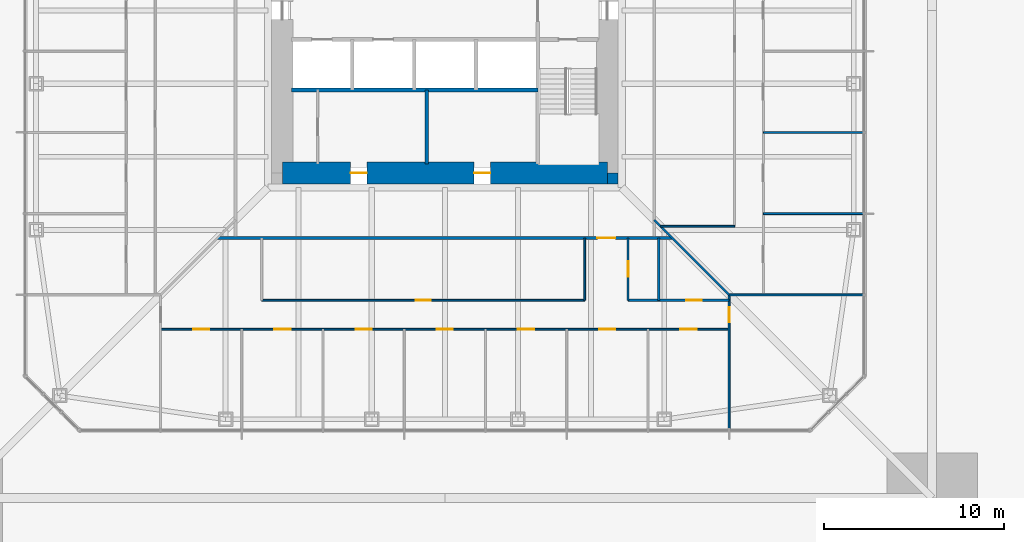
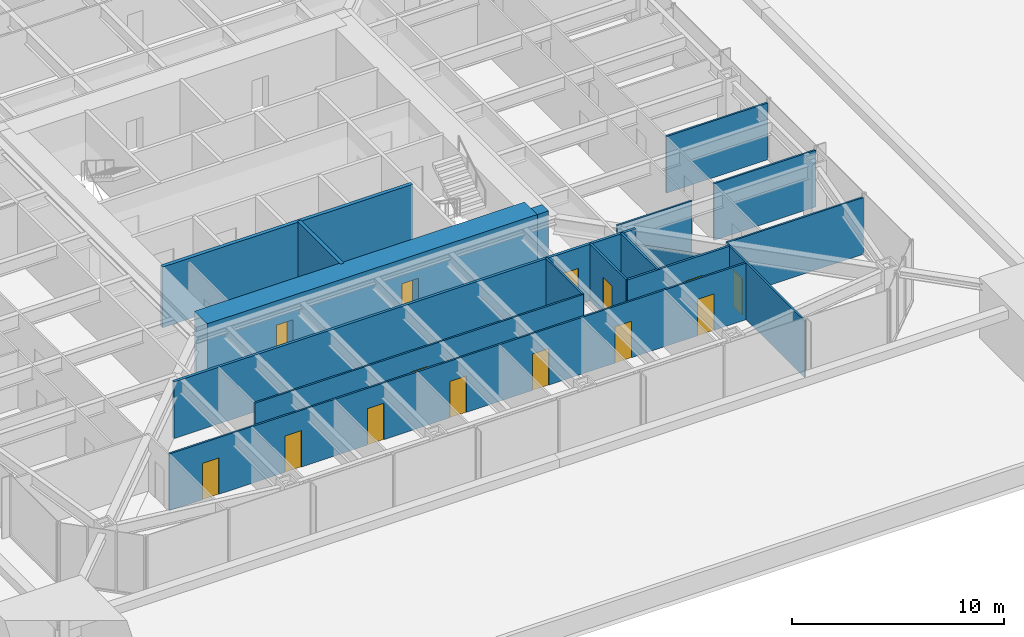
# One storey, part 18 of 31: 17 walls, 14 doors, 14 openings.
"""IFC4 building model written with IfcOpenShell, lengths in metres."""

from ifc_helpers import new_model, si_unit, direction, frame, frame_2d, origin, place, context, subcontext, project, spatial, rectangle, extrude, material, layer, layer_set, type_object, element, fill, save


model = new_model("IFC4")

# Units and contexts
model_context = context("Model", 3, precision=1e-05, world=origin(), true_north=direction((0.0, 1.0)))
body_context = subcontext(model_context, "Body", "Model", "MODEL_VIEW")
ifc_project = project(units=[si_unit("LENGTHUNIT", "METRE"), si_unit("AREAUNIT", "SQUARE_METRE"), si_unit("VOLUMEUNIT", "CUBIC_METRE"), si_unit("PLANEANGLEUNIT", "RADIAN"), si_unit("MASSUNIT", "GRAM", prefix="KILO")], contexts=[model_context])

# Site, building, storey
site_placement = place(None, origin())
site = spatial("IfcSite", under=ifc_project, at=site_placement, CompositionType="ELEMENT")
building_placement = place(site_placement, origin())
building = spatial("IfcBuilding", under=site, at=building_placement, Name="Iwan Alto Co-Living Towers", CompositionType="ELEMENT")
storey_placement = place(building_placement, frame((0.0, 0.0, 15.0)))
storey = spatial("IfcBuildingStorey", under=building, at=storey_placement, Name="L03", CompositionType="ELEMENT", Elevation=15.0)

# Wall, opening, door
ifc_material_1 = material(Name="Gypsum board")
ifc_layer_1 = layer(ifc_material_1, 0.02490234375, Name="Board", Category="Finish")
ifc_material_2 = material(Name="Steel ASTM A1003 ST33H cold-formed studs", Category="steel")
ifc_layer_2 = layer(ifc_material_2, 0.10009765625, Name="Studs", Category="Framing")
ifc_layer_3 = layer(ifc_material_1, 0.02490234375, Name="Board", Category="Finish")
ifc_layer_set_1 = layer_set([ifc_layer_1, ifc_layer_2, ifc_layer_3], Name="CORRIDOR WALL 150")
wall_type_1 = type_object("IfcWallType", Name="CORRIDOR WALL 150", PredefinedType="PARTITIONING", material=ifc_layer_set_1)
wall_1_placement = place(storey_placement, frame((-12.60009765625, -12.60009765625, 0.0), z_axis=(0.0, 0.0, 1.0), x_axis=(1.0, 0.0, 0.0)))
wall_1 = element("IfcWall", 1, at=wall_1_placement, inside=storey, type_object=wall_type_1, Name="Partition L03", PredefinedType="PARTITIONING", context=body_context, shape_type="SweptSolid", body=[
    extrude(rectangle(XDim=25.2001953125, YDim=0.14990234375, at=frame_2d((12.60009765625, 0.0))), origin(), (0.0, 0.0, 1.0), 3.27001953125),
])
opening_1_placement = place(wall_1_placement, frame((21.050048828125, 0.0, 0.0)))
opening_1 = element("IfcOpeningElement", 2, at=opening_1_placement, cuts=wall_1, Name="Opening D3", PredefinedType="OPENING", context=body_context, shape_type="SweptSolid", body=[
    extrude(rectangle(XDim=1.0, YDim=2.10009765625, at=frame_2d((0.5, 1.050048828125))), frame((0.0, 0.0849609375, 0.0), z_axis=(0.0, -1.0, 0.0), x_axis=(1.0, 0.0, 0.0)), (0.0, 0.0, 1.0), 0.169921875),
])
ifc_material_3 = material(Name="Steel frame with timber leaf", Category="steel")
door_type_1 = type_object("IfcDoorType", Name="FLAT ENTRANCE DOOR FD30S 1000X2100", OperationType="SINGLE_SWING_LEFT", PredefinedType="DOOR", material=ifc_material_3)
door_1_placement = place(opening_1_placement, frame((1.0, 0.0, 0.0), z_axis=(0.0, 0.0, 1.0), x_axis=(-1.0, 0.0, 0.0)))
door_1 = element("IfcDoor", 3, at=door_1_placement, inside=storey, type_object=door_type_1, Name="Cluster lounge door L03", OperationType="SINGLE_SWING_RIGHT", OverallHeight=2.10009765625, OverallWidth=1.0, PredefinedType="DOOR", context=body_context, shape_type="SweptSolid", body=[
    extrude(rectangle(XDim=1.0, YDim=2.10009765625, at=frame_2d((0.5, 1.050048828125))), frame((0.0, 0.02490234375, 0.0), z_axis=(0.0, -1.0, 0.0), x_axis=(1.0, 0.0, 0.0)), (0.0, 0.0, 1.0), 0.050048828125),
])
fill(opening_1, door_1)

# Wall, openings, doors
ifc_layer_4 = layer(ifc_material_1, 0.012451171875, Name="Board", Category="Finish")
ifc_layer_5 = layer(ifc_material_2, 0.074951171875, Name="Studs", Category="Framing")
ifc_layer_6 = layer(ifc_material_1, 0.012451171875, Name="Board", Category="Finish")
ifc_layer_set_2 = layer_set([ifc_layer_4, ifc_layer_5, ifc_layer_6], Name="PARTITION 100")
wall_type_2 = type_object("IfcWallType", Name="PARTITION 100", PredefinedType="PARTITIONING", material=ifc_layer_set_2)
wall_2_placement = place(storey_placement, frame((-15.75, -17.64990234375, 0.0), z_axis=(0.0, 0.0, 1.0), x_axis=(1.0, 0.0, 0.0)))
wall_2 = element("IfcWall", 4, at=wall_2_placement, inside=storey, type_object=wall_type_2, Name="Partition L03", PredefinedType="PARTITIONING", context=body_context, shape_type="SweptSolid", body=[
    extrude(rectangle(XDim=31.5, YDim=0.10009765625, at=frame_2d((15.75, 0.0))), origin(), (0.0, 0.0, 1.0), 3.27001953125),
])
opening_2_placement = place(wall_2_placement, frame((1.800048828125, 0.0, 0.0)))
opening_2 = element("IfcOpeningElement", 5, at=opening_2_placement, cuts=wall_2, Name="Opening D1", PredefinedType="OPENING", context=body_context, shape_type="SweptSolid", body=[
    extrude(rectangle(XDim=0.89990234375, YDim=2.10009765625, at=frame_2d((0.449951171875, 1.050048828125))), frame((0.0, 0.06005859375, 0.0), z_axis=(0.0, -1.0, 0.0), x_axis=(1.0, 0.0, 0.0)), (0.0, 0.0, 1.0), 0.1201171875),
])
opening_3_placement = place(wall_2_placement, frame((6.300048828125, 0.0, 0.0)))
opening_3 = element("IfcOpeningElement", 6, at=opening_3_placement, cuts=wall_2, Name="Opening D1", PredefinedType="OPENING", context=body_context, shape_type="SweptSolid", body=[
    extrude(rectangle(XDim=0.89990234375, YDim=2.10009765625, at=frame_2d((0.449951171875, 1.050048828125))), frame((0.0, 0.06005859375, 0.0), z_axis=(0.0, -1.0, 0.0), x_axis=(1.0, 0.0, 0.0)), (0.0, 0.0, 1.0), 0.1201171875),
])
opening_4_placement = place(wall_2_placement, frame((10.800048828125, 0.0, 0.0)))
opening_4 = element("IfcOpeningElement", 7, at=opening_4_placement, cuts=wall_2, Name="Opening D1", PredefinedType="OPENING", context=body_context, shape_type="SweptSolid", body=[
    extrude(rectangle(XDim=0.89990234375, YDim=2.10009765625, at=frame_2d((0.449951171875, 1.050048828125))), frame((0.0, 0.06005859375, 0.0), z_axis=(0.0, -1.0, 0.0), x_axis=(1.0, 0.0, 0.0)), (0.0, 0.0, 1.0), 0.1201171875),
])
opening_5_placement = place(wall_2_placement, frame((15.300048828125, 0.0, 0.0)))
opening_5 = element("IfcOpeningElement", 8, at=opening_5_placement, cuts=wall_2, Name="Opening D1", PredefinedType="OPENING", context=body_context, shape_type="SweptSolid", body=[
    extrude(rectangle(XDim=0.89990234375, YDim=2.10009765625, at=frame_2d((0.449951171875, 1.050048828125))), frame((0.0, 0.06005859375, 0.0), z_axis=(0.0, -1.0, 0.0), x_axis=(1.0, 0.0, 0.0)), (0.0, 0.0, 1.0), 0.1201171875),
])
opening_6_placement = place(wall_2_placement, frame((19.800048828125, 0.0, 0.0)))
opening_6 = element("IfcOpeningElement", 9, at=opening_6_placement, cuts=wall_2, Name="Opening D1", PredefinedType="OPENING", context=body_context, shape_type="SweptSolid", body=[
    extrude(rectangle(XDim=0.89990234375, YDim=2.10009765625, at=frame_2d((0.449951171875, 1.050048828125))), frame((0.0, 0.06005859375, 0.0), z_axis=(0.0, -1.0, 0.0), x_axis=(1.0, 0.0, 0.0)), (0.0, 0.0, 1.0), 0.1201171875),
])
opening_7_placement = place(wall_2_placement, frame((24.300048828125, 0.0, 0.0)))
opening_7 = element("IfcOpeningElement", 10, at=opening_7_placement, cuts=wall_2, Name="Opening D1", PredefinedType="OPENING", context=body_context, shape_type="SweptSolid", body=[
    extrude(rectangle(XDim=0.89990234375, YDim=2.10009765625, at=frame_2d((0.449951171875, 1.050048828125))), frame((0.0, 0.06005859375, 0.0), z_axis=(0.0, -1.0, 0.0), x_axis=(1.0, 0.0, 0.0)), (0.0, 0.0, 1.0), 0.1201171875),
])
opening_8_placement = place(wall_2_placement, frame((28.800048828125, 0.0, 0.0)))
opening_8 = element("IfcOpeningElement", 11, at=opening_8_placement, cuts=wall_2, Name="Opening D1", PredefinedType="OPENING", context=body_context, shape_type="SweptSolid", body=[
    extrude(rectangle(XDim=0.89990234375, YDim=2.10009765625, at=frame_2d((0.449951171875, 1.050048828125))), frame((0.0, 0.06005859375, 0.0), z_axis=(0.0, -1.0, 0.0), x_axis=(1.0, 0.0, 0.0)), (0.0, 0.0, 1.0), 0.1201171875),
])
ifc_material_4 = material(Name="Timber leaf in steel frame", Category="steel")
door_type_2 = type_object("IfcDoorType", Name="BEDROOM DOOR 900X2100", OperationType="SINGLE_SWING_LEFT", PredefinedType="DOOR", material=ifc_material_4)
door_2_placement = place(opening_2_placement, origin())
door_2 = element("IfcDoor", 12, at=door_2_placement, inside=storey, type_object=door_type_2, Name="Study bedroom door L03", OperationType="SINGLE_SWING_LEFT", OverallHeight=2.10009765625, OverallWidth=0.89990234375, PredefinedType="DOOR", context=body_context, shape_type="SweptSolid", body=[
    extrude(rectangle(XDim=0.89990234375, YDim=2.10009765625, at=frame_2d((0.449951171875, 1.050048828125))), frame((0.0, 0.02490234375, 0.0), z_axis=(0.0, -1.0, 0.0), x_axis=(1.0, 0.0, 0.0)), (0.0, 0.0, 1.0), 0.050048828125),
])
fill(opening_2, door_2)
door_3_placement = place(opening_3_placement, origin())
door_3 = element("IfcDoor", 13, at=door_3_placement, inside=storey, type_object=door_type_2, Name="Study bedroom door L03", OperationType="SINGLE_SWING_LEFT", OverallHeight=2.10009765625, OverallWidth=0.89990234375, PredefinedType="DOOR", context=body_context, shape_type="SweptSolid", body=[
    extrude(rectangle(XDim=0.89990234375, YDim=2.10009765625, at=frame_2d((0.449951171875, 1.050048828125))), frame((0.0, 0.02490234375, 0.0), z_axis=(0.0, -1.0, 0.0), x_axis=(1.0, 0.0, 0.0)), (0.0, 0.0, 1.0), 0.050048828125),
])
fill(opening_3, door_3)
door_4_placement = place(opening_4_placement, origin())
door_4 = element("IfcDoor", 14, at=door_4_placement, inside=storey, type_object=door_type_2, Name="Study bedroom door L03", OperationType="SINGLE_SWING_LEFT", OverallHeight=2.10009765625, OverallWidth=0.89990234375, PredefinedType="DOOR", context=body_context, shape_type="SweptSolid", body=[
    extrude(rectangle(XDim=0.89990234375, YDim=2.10009765625, at=frame_2d((0.449951171875, 1.050048828125))), frame((0.0, 0.02490234375, 0.0), z_axis=(0.0, -1.0, 0.0), x_axis=(1.0, 0.0, 0.0)), (0.0, 0.0, 1.0), 0.050048828125),
])
fill(opening_4, door_4)
door_5_placement = place(opening_5_placement, origin())
door_5 = element("IfcDoor", 15, at=door_5_placement, inside=storey, type_object=door_type_2, Name="Study bedroom door L03", OperationType="SINGLE_SWING_LEFT", OverallHeight=2.10009765625, OverallWidth=0.89990234375, PredefinedType="DOOR", context=body_context, shape_type="SweptSolid", body=[
    extrude(rectangle(XDim=0.89990234375, YDim=2.10009765625, at=frame_2d((0.449951171875, 1.050048828125))), frame((0.0, 0.02490234375, 0.0), z_axis=(0.0, -1.0, 0.0), x_axis=(1.0, 0.0, 0.0)), (0.0, 0.0, 1.0), 0.050048828125),
])
fill(opening_5, door_5)
door_6_placement = place(opening_6_placement, origin())
door_6 = element("IfcDoor", 16, at=door_6_placement, inside=storey, type_object=door_type_2, Name="Study bedroom door L03", OperationType="SINGLE_SWING_RIGHT", OverallHeight=2.10009765625, OverallWidth=0.89990234375, PredefinedType="DOOR", context=body_context, shape_type="SweptSolid", body=[
    extrude(rectangle(XDim=0.89990234375, YDim=2.10009765625, at=frame_2d((0.449951171875, 1.050048828125))), frame((0.0, 0.02490234375, 0.0), z_axis=(0.0, -1.0, 0.0), x_axis=(1.0, 0.0, 0.0)), (0.0, 0.0, 1.0), 0.050048828125),
])
fill(opening_6, door_6)
door_7_placement = place(opening_7_placement, origin())
door_7 = element("IfcDoor", 17, at=door_7_placement, inside=storey, type_object=door_type_2, Name="Study bedroom door L03", OperationType="SINGLE_SWING_RIGHT", OverallHeight=2.10009765625, OverallWidth=0.89990234375, PredefinedType="DOOR", context=body_context, shape_type="SweptSolid", body=[
    extrude(rectangle(XDim=0.89990234375, YDim=2.10009765625, at=frame_2d((0.449951171875, 1.050048828125))), frame((0.0, 0.02490234375, 0.0), z_axis=(0.0, -1.0, 0.0), x_axis=(1.0, 0.0, 0.0)), (0.0, 0.0, 1.0), 0.050048828125),
])
fill(opening_7, door_7)
door_8_placement = place(opening_8_placement, origin())
door_8 = element("IfcDoor", 18, at=door_8_placement, inside=storey, type_object=door_type_2, Name="Study bedroom door L03", OperationType="SINGLE_SWING_RIGHT", OverallHeight=2.10009765625, OverallWidth=0.89990234375, PredefinedType="DOOR", context=body_context, shape_type="SweptSolid", body=[
    extrude(rectangle(XDim=0.89990234375, YDim=2.10009765625, at=frame_2d((0.449951171875, 1.050048828125))), frame((0.0, 0.02490234375, 0.0), z_axis=(0.0, -1.0, 0.0), x_axis=(1.0, 0.0, 0.0)), (0.0, 0.0, 1.0), 0.050048828125),
])
fill(opening_8, door_8)

# Wall, opening, door
wall_3_placement = place(storey_placement, frame((-10.14990234375, -16.050048828125, 0.0), z_axis=(0.0, 0.0, 1.0), x_axis=(1.0, 0.0, 0.0)))
wall_3 = element("IfcWall", 19, at=wall_3_placement, inside=storey, type_object=wall_type_2, Name="Partition L03", PredefinedType="PARTITIONING", context=body_context, shape_type="SweptSolid", body=[
    extrude(rectangle(XDim=17.89990234375, YDim=0.10009765625, at=frame_2d((8.949951171875, 0.0))), origin(), (0.0, 0.0, 1.0), 3.27001953125),
])
opening_9_placement = place(wall_3_placement, frame((8.52490234375, 0.0, 0.0)))
opening_9 = element("IfcOpeningElement", 20, at=opening_9_placement, cuts=wall_3, Name="Opening D2", PredefinedType="OPENING", context=body_context, shape_type="SweptSolid", body=[
    extrude(rectangle(XDim=0.85009765625, YDim=2.10009765625, at=frame_2d((0.425048828125, 1.050048828125))), frame((0.0, 0.06005859375, 0.0), z_axis=(0.0, -1.0, 0.0), x_axis=(1.0, 0.0, 0.0)), (0.0, 0.0, 1.0), 0.1201171875),
])
ifc_material_5 = material(Name="Timber leaf in steel frame", Category="steel")
door_type_3 = type_object("IfcDoorType", Name="ROOM DOOR 850X2100", OperationType="SINGLE_SWING_LEFT", PredefinedType="DOOR", material=ifc_material_5)
door_9_placement = place(opening_9_placement, frame((0.85009765625, 0.0, 0.0), z_axis=(0.0, 0.0, 1.0), x_axis=(-1.0, 0.0, 0.0)))
door_9 = element("IfcDoor", 21, at=door_9_placement, inside=storey, type_object=door_type_3, Name="Study lounge door L03", OperationType="SINGLE_SWING_RIGHT", OverallHeight=2.10009765625, OverallWidth=0.85009765625, PredefinedType="DOOR", context=body_context, shape_type="SweptSolid", body=[
    extrude(rectangle(XDim=0.85009765625, YDim=2.10009765625, at=frame_2d((0.425048828125, 1.050048828125))), frame((0.0, 0.02490234375, 0.0), z_axis=(0.0, -1.0, 0.0), x_axis=(1.0, 0.0, 0.0)), (0.0, 0.0, 1.0), 0.050048828125),
])
fill(opening_9, door_9)

# Walls
wall_4_placement = place(storey_placement, frame((15.75, -15.75, 0.0), z_axis=(0.0, 0.0, 1.0), x_axis=(1.0, 0.0, 0.0)))
element("IfcWall", 22, at=wall_4_placement, inside=storey, type_object=wall_type_2, Name="Partition L03", PredefinedType="PARTITIONING", context=body_context, shape_type="SweptSolid", body=[
    extrude(rectangle(XDim=7.43994140625, YDim=0.10009765625, at=frame_2d((3.719970703125, 0.0))), origin(), (0.0, 0.0, 1.0), 3.27001953125),
])
wall_5_placement = place(storey_placement, frame((11.949951171875, -11.949951171875, 0.0), z_axis=(0.0, 0.0, 1.0), x_axis=(1.0, 0.0, 0.0)))
element("IfcWall", 23, at=wall_5_placement, inside=storey, type_object=wall_type_2, Name="Partition L03", PredefinedType="PARTITIONING", context=body_context, shape_type="SweptSolid", body=[
    extrude(rectangle(XDim=4.10009765625, YDim=0.10009765625, at=frame_2d((2.050048828125, 0.0))), origin(), (0.0, 0.0, 1.0), 3.27001953125),
])
for number, where, z_axis, x_axis, name in (
    (24, (17.64990234375, -11.25, 0.0), (0.0, 0.0, 1.0), (1.0, 0.0, 0.0), "Partition L03"),
    (25, (17.64990234375, -6.75, 0.0), (0.0, 0.0, 1.0), (1.0, 0.0, 0.0), "Partition L03"),
):
    element("IfcWall", number, at=place(storey_placement, frame(where, z_axis=z_axis, x_axis=x_axis)), inside=storey, type_object=wall_type_2, Name=name, PredefinedType="PARTITIONING", context=body_context, shape_type="SweptSolid", body=[
        extrude(rectangle(XDim=5.5400390625, YDim=0.10009765625, at=frame_2d((2.77001953125, 0.0))), origin(), (0.0, 0.0, 1.0), 3.27001953125),
    ])

# Wall, opening, door
wall_6_placement = place(storey_placement, frame((15.75, -23.18994140625, 0.0), z_axis=(0.0, 0.0, 1.0), x_axis=(0.0, 1.0, 0.0)))
wall_6 = element("IfcWall", 26, at=wall_6_placement, inside=storey, type_object=wall_type_2, Name="Partition L03", PredefinedType="PARTITIONING", context=body_context, shape_type="SweptSolid", body=[
    extrude(rectangle(XDim=7.43994140625, YDim=0.10009765625, at=frame_2d((3.719970703125, 0.0))), origin(), (0.0, 0.0, 1.0), 3.27001953125),
])
opening_10_placement = place(wall_6_placement, frame((5.9150390625, 0.0, 0.0)))
opening_10 = element("IfcOpeningElement", 27, at=opening_10_placement, cuts=wall_6, Name="Opening D2", PredefinedType="OPENING", context=body_context, shape_type="SweptSolid", body=[
    extrude(rectangle(XDim=0.85009765625, YDim=2.10009765625, at=frame_2d((0.425048828125, 1.050048828125))), frame((0.0, 0.06005859375, 0.0), z_axis=(0.0, -1.0, 0.0), x_axis=(1.0, 0.0, 0.0)), (0.0, 0.0, 1.0), 0.1201171875),
])
door_10_placement = place(opening_10_placement, origin())
door_10 = element("IfcDoor", 28, at=door_10_placement, inside=storey, type_object=door_type_3, Name="Shared kitchen and lounge door L03", OperationType="SINGLE_SWING_LEFT", OverallHeight=2.10009765625, OverallWidth=0.85009765625, PredefinedType="DOOR", context=body_context, shape_type="SweptSolid", body=[
    extrude(rectangle(XDim=0.85009765625, YDim=2.10009765625, at=frame_2d((0.425048828125, 1.050048828125))), frame((0.0, 0.02490234375, 0.0), z_axis=(0.0, -1.0, 0.0), x_axis=(1.0, 0.0, 0.0)), (0.0, 0.0, 1.0), 0.050048828125),
])
fill(opening_10, door_10)

# Walls
wall_7_placement = place(storey_placement, frame((7.75, -16.050048828125, 0.0), z_axis=(0.0, 0.0, 1.0), x_axis=(0.0, 1.0, 0.0)))
element("IfcWall", 29, at=wall_7_placement, inside=storey, type_object=wall_type_2, Name="Partition L03", PredefinedType="PARTITIONING", context=body_context, shape_type="SweptSolid", body=[
    extrude(rectangle(XDim=3.449951171875, YDim=0.10009765625, at=frame_2d((1.72509765625, 0.0))), origin(), (0.0, 0.0, 1.0), 3.27001953125),
])
ifc_material_6 = material(Name="Concrete f'c 70 MPa", Category="concrete")
ifc_layer_7 = layer(ifc_material_6, 0.199951171875)
ifc_layer_set_3 = layer_set([ifc_layer_7], Name="SHAFT WALL 200")
wall_type_3 = type_object("IfcWallType", Name="SHAFT WALL 200", PredefinedType="SOLIDWALL", material=ifc_layer_set_3)
wall_8_placement = place(storey_placement, frame((-8.489990234375, -4.39990234375, 0.0), z_axis=(0.0, 0.0, 1.0), x_axis=(1.0, 0.0, 0.0)))
element("IfcWall", 30, at=wall_8_placement, inside=storey, type_object=wall_type_3, Name="Shaft wall L03", PredefinedType="SOLIDWALL", context=body_context, shape_type="SweptSolid", body=[
    extrude(rectangle(XDim=13.639892578125, YDim=0.199951171875, at=frame_2d((6.81982421875, 0.0))), origin(), (0.0, 0.0, 1.0), 3.5),
])
wall_9_placement = place(storey_placement, frame((-1.0, -8.489990234375, 0.0), z_axis=(0.0, 0.0, 1.0), x_axis=(0.0, 1.0, 0.0)))
element("IfcWall", 31, at=wall_9_placement, inside=storey, type_object=wall_type_3, Name="Shaft wall L03", PredefinedType="SOLIDWALL", context=body_context, shape_type="SweptSolid", body=[
    extrude(rectangle(XDim=4.090087890625, YDim=0.199951171875, at=frame_2d((2.044921875, 0.0))), origin(), (0.0, 0.0, 1.0), 3.5),
])
ifc_material_7 = material(Name="Concrete f'c 70 MPa", Category="concrete")
ifc_layer_8 = layer(ifc_material_7, 0.60009765625)
ifc_layer_set_4 = layer_set([ifc_layer_8], Name="T1 CORE CORNER FILL 600")
wall_type_4 = type_object("IfcWallType", Name="T1 CORE CORNER FILL 600", PredefinedType="SOLIDWALL", material=ifc_layer_set_4)
wall_10_placement = place(storey_placement, frame((9.0, -9.300048828125, 0.0), z_axis=(0.0, 0.0, 1.0), x_axis=(1.0, 0.0, 0.0)))
element("IfcWall", 32, at=wall_10_placement, inside=storey, type_object=wall_type_4, Name="T1 core corner SE L03", PredefinedType="SOLIDWALL", context=body_context, shape_type="SweptSolid", body=[
    extrude(rectangle(XDim=0.60009765625, YDim=0.60009765625, at=frame_2d((0.300048828125, 0.0))), origin(), (0.0, 0.0, 1.0), 3.5),
])

# Wall, openings, doors
ifc_material_8 = material(Name="Concrete f'c 70 MPa", Category="concrete")
ifc_layer_9 = layer(ifc_material_8, 1.199951171875)
ifc_layer_set_5 = layer_set([ifc_layer_9], Name="T1 CORE WALL 1200")
wall_type_5 = type_object("IfcWallType", Name="T1 CORE WALL 1200", PredefinedType="SHEAR", material=ifc_layer_set_5)
wall_11_placement = place(storey_placement, frame((-9.0, -9.0, 0.0), z_axis=(0.0, 0.0, 1.0), x_axis=(1.0, 0.0, 0.0)))
wall_11 = element("IfcWall", 33, at=wall_11_placement, inside=storey, type_object=wall_type_5, Name="T1 core wall S L03", PredefinedType="SHEAR", context=body_context, shape_type="SweptSolid", body=[
    extrude(rectangle(XDim=18.0, YDim=1.199951171875, at=frame_2d((9.0, 0.0))), origin(), (0.0, 0.0, 1.0), 3.5),
])
opening_11_placement = place(wall_11_placement, frame((3.77490234375, 0.0, 0.0)))
opening_11 = element("IfcOpeningElement", 34, at=opening_11_placement, cuts=wall_11, Name="Opening D8", PredefinedType="OPENING", context=body_context, shape_type="SweptSolid", body=[
    extrude(rectangle(XDim=0.89990234375, YDim=2.10009765625, at=frame_2d((0.449951171875, 1.050048828125))), frame((0.0, 0.60986328125, 0.0), z_axis=(0.0, -1.0, 0.0), x_axis=(1.0, 0.0, 0.0)), (0.0, 0.0, 1.0), 1.219970703125),
])
opening_12_placement = place(wall_11_placement, frame((10.625, 0.0, 0.0)))
opening_12 = element("IfcOpeningElement", 35, at=opening_12_placement, cuts=wall_11, Name="Opening D8", PredefinedType="OPENING", context=body_context, shape_type="SweptSolid", body=[
    extrude(rectangle(XDim=0.89990234375, YDim=2.10009765625, at=frame_2d((0.449951171875, 1.050048828125))), frame((0.0, 0.60986328125, 0.0), z_axis=(0.0, -1.0, 0.0), x_axis=(1.0, 0.0, 0.0)), (0.0, 0.0, 1.0), 1.219970703125),
])
ifc_material_9 = material(Name="Steel frame with timber leaf", Category="steel")
door_type_4 = type_object("IfcDoorType", Name="RISER DOOR FD120 900X2100", OperationType="SINGLE_SWING_LEFT", PredefinedType="DOOR", material=ifc_material_9)
door_11_placement = place(opening_11_placement, origin())
door_11 = element("IfcDoor", 36, at=door_11_placement, inside=storey, type_object=door_type_4, Name="Refuse room core door L03", OperationType="SINGLE_SWING_LEFT", OverallHeight=2.10009765625, OverallWidth=0.89990234375, PredefinedType="DOOR", context=body_context, shape_type="SweptSolid", body=[
    extrude(rectangle(XDim=0.89990234375, YDim=2.10009765625, at=frame_2d((0.449951171875, 1.050048828125))), frame((0.0, 0.02490234375, 0.0), z_axis=(0.0, -1.0, 0.0), x_axis=(1.0, 0.0, 0.0)), (0.0, 0.0, 1.0), 0.050048828125),
])
fill(opening_11, door_11)
door_12_placement = place(opening_12_placement, origin())
door_12 = element("IfcDoor", 37, at=door_12_placement, inside=storey, type_object=door_type_4, Name="Telecom riser core door L03", OperationType="SINGLE_SWING_LEFT", OverallHeight=2.10009765625, OverallWidth=0.89990234375, PredefinedType="DOOR", context=body_context, shape_type="SweptSolid", body=[
    extrude(rectangle(XDim=0.89990234375, YDim=2.10009765625, at=frame_2d((0.449951171875, 1.050048828125))), frame((0.0, 0.02490234375, 0.0), z_axis=(0.0, -1.0, 0.0), x_axis=(1.0, 0.0, 0.0)), (0.0, 0.0, 1.0), 0.050048828125),
])
fill(opening_12, door_12)

# Wall, opening, door
ifc_material_10 = material(Name="Cement board")
ifc_layer_10 = layer(ifc_material_10, 0.012451171875, Name="Board", Category="Finish")
ifc_layer_11 = layer(ifc_material_2, 0.094970703125, Name="Studs", Category="Framing")
ifc_layer_12 = layer(ifc_material_10, 0.012451171875, Name="Board", Category="Finish")
ifc_layer_set_6 = layer_set([ifc_layer_10, ifc_layer_11, ifc_layer_12], Name="WET AREA PARTITION 120")
wall_type_6 = type_object("IfcWallType", Name="WET AREA PARTITION 120", PredefinedType="PARTITIONING", material=ifc_layer_set_6)
wall_12_placement = place(storey_placement, frame((10.14990234375, -16.050048828125, 0.0), z_axis=(0.0, 0.0, 1.0), x_axis=(1.0, 0.0, 0.0)))
wall_12 = element("IfcWall", 38, at=wall_12_placement, inside=storey, type_object=wall_type_6, Name="Partition L03", PredefinedType="PARTITIONING", context=body_context, shape_type="SweptSolid", body=[
    extrude(rectangle(XDim=5.60009765625, YDim=0.1201171875, at=frame_2d((2.800048828125, 0.0))), origin(), (0.0, 0.0, 1.0), 3.27001953125),
])
opening_13_placement = place(wall_12_placement, frame((3.22509765625, 0.0, 0.0)))
opening_13 = element("IfcOpeningElement", 39, at=opening_13_placement, cuts=wall_12, Name="Opening D2", PredefinedType="OPENING", context=body_context, shape_type="SweptSolid", body=[
    extrude(rectangle(XDim=0.85009765625, YDim=2.10009765625, at=frame_2d((0.425048828125, 1.050048828125))), frame((0.0, 0.070068359375, 0.0), z_axis=(0.0, -1.0, 0.0), x_axis=(1.0, 0.0, 0.0)), (0.0, 0.0, 1.0), 0.14013671875),
])
door_13_placement = place(opening_13_placement, frame((0.85009765625, 0.0, 0.0), z_axis=(0.0, 0.0, 1.0), x_axis=(-1.0, 0.0, 0.0)))
door_13 = element("IfcDoor", 40, at=door_13_placement, inside=storey, type_object=door_type_3, Name="Accessible bathroom door L03", OperationType="SINGLE_SWING_LEFT", OverallHeight=2.10009765625, OverallWidth=0.85009765625, PredefinedType="DOOR", context=body_context, shape_type="SweptSolid", body=[
    extrude(rectangle(XDim=0.85009765625, YDim=2.10009765625, at=frame_2d((0.425048828125, 1.050048828125))), frame((0.0, 0.02490234375, 0.0), z_axis=(0.0, -1.0, 0.0), x_axis=(1.0, 0.0, 0.0)), (0.0, 0.0, 1.0), 0.050048828125),
])
fill(opening_13, door_13)

# Wall
wall_13_placement = place(storey_placement, frame((11.85009765625, -16.050048828125, 0.0), z_axis=(0.0, 0.0, 1.0), x_axis=(0.0, 1.0, 0.0)))
element("IfcWall", 41, at=wall_13_placement, inside=storey, type_object=wall_type_6, Name="Partition L03", PredefinedType="PARTITIONING", context=body_context, shape_type="SweptSolid", body=[
    extrude(rectangle(XDim=3.449951171875, YDim=0.1201171875, at=frame_2d((1.72509765625, 0.0))), origin(), (0.0, 0.0, 1.0), 3.27001953125),
])

# Wall, opening, door
wall_14_placement = place(storey_placement, frame((10.14990234375, -16.050048828125, 0.0), z_axis=(0.0, 0.0, 1.0), x_axis=(0.0, 1.0, 0.0)))
wall_14 = element("IfcWall", 42, at=wall_14_placement, inside=storey, type_object=wall_type_6, Name="Partition L03", PredefinedType="PARTITIONING", context=body_context, shape_type="SweptSolid", body=[
    extrude(rectangle(XDim=3.449951171875, YDim=0.1201171875, at=frame_2d((1.72509765625, 0.0))), origin(), (0.0, 0.0, 1.0), 3.27001953125),
])
opening_14_placement = place(wall_14_placement, frame((1.300048828125, 0.0, 0.0)))
opening_14 = element("IfcOpeningElement", 43, at=opening_14_placement, cuts=wall_14, Name="Opening D2", PredefinedType="OPENING", context=body_context, shape_type="SweptSolid", body=[
    extrude(rectangle(XDim=0.85009765625, YDim=2.10009765625, at=frame_2d((0.425048828125, 1.050048828125))), frame((0.0, 0.070068359375, 0.0), z_axis=(0.0, -1.0, 0.0), x_axis=(1.0, 0.0, 0.0)), (0.0, 0.0, 1.0), 0.14013671875),
])
door_14_placement = place(opening_14_placement, origin())
door_14 = element("IfcDoor", 44, at=door_14_placement, inside=storey, type_object=door_type_3, Name="Bathroom door L03", OperationType="SINGLE_SWING_RIGHT", OverallHeight=2.10009765625, OverallWidth=0.85009765625, PredefinedType="DOOR", context=body_context, shape_type="SweptSolid", body=[
    extrude(rectangle(XDim=0.85009765625, YDim=2.10009765625, at=frame_2d((0.425048828125, 1.050048828125))), frame((0.0, 0.02490234375, 0.0), z_axis=(0.0, -1.0, 0.0), x_axis=(1.0, 0.0, 0.0)), (0.0, 0.0, 1.0), 0.050048828125),
])
fill(opening_14, door_14)

# Wall
wall_15_placement = place(storey_placement, frame((15.75, -15.75, 0.0), z_axis=(0.0, 0.0, 1.0), x_axis=(-0.707106781187, 0.707106781187, 0.0)))
element("IfcWall", 45, at=wall_15_placement, inside=storey, type_object=wall_type_6, Name="Partition L03", PredefinedType="PARTITIONING", context=body_context, shape_type="SweptSolid", body=[
    extrude(rectangle(XDim=5.868896484375, YDim=0.1201171875, at=frame_2d((2.9345703125, 0.0))), origin(), (0.0, 0.0, 1.0), 2.343017578125),
])

save(model, "model.ifc")
